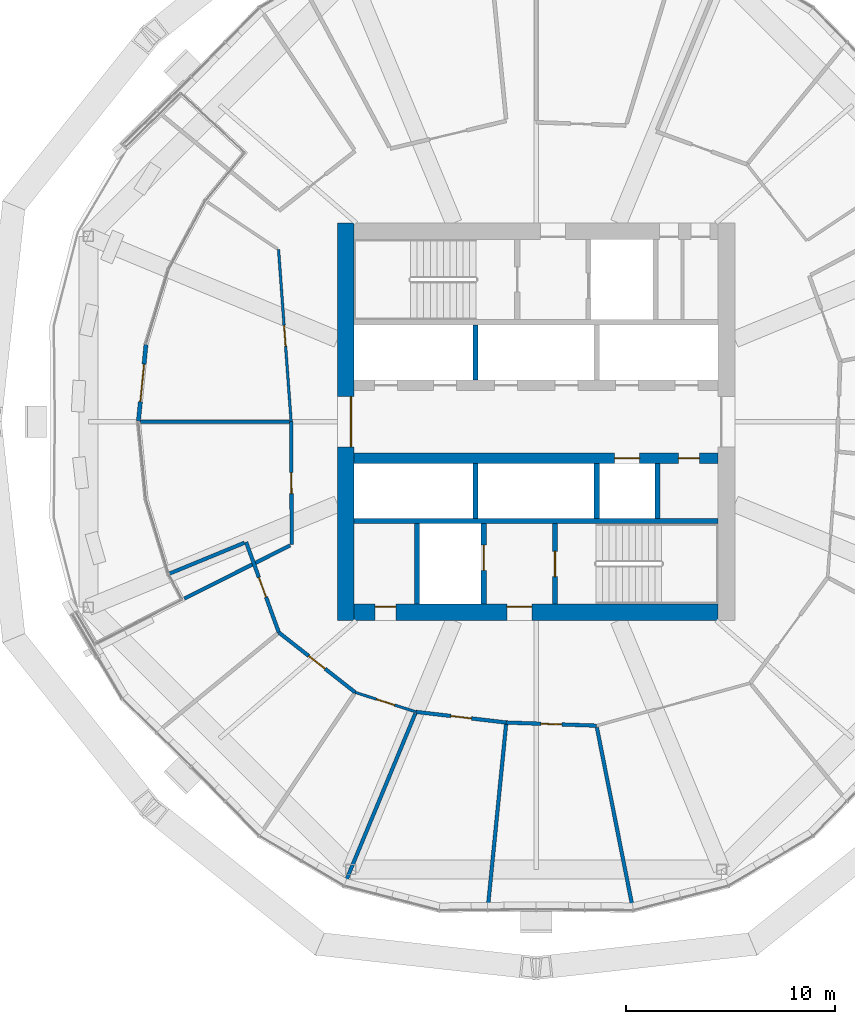
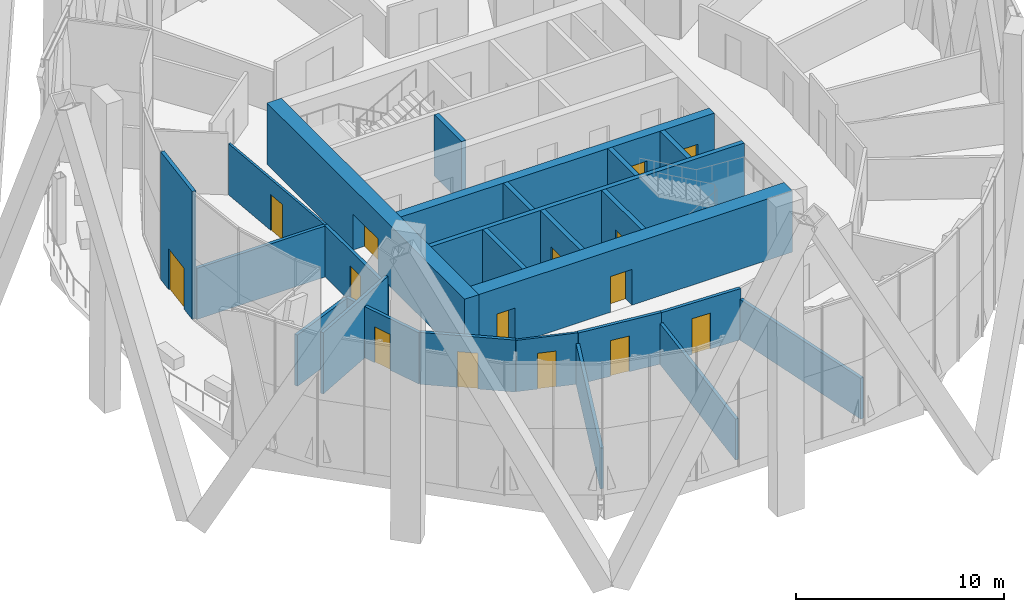
# One storey, part 21 of 30: 25 walls, 15 doors, 15 openings.
"""IFC4 building model written with IfcOpenShell, lengths in metres."""

from ifc_helpers import new_model, si_unit, direction, frame, frame_2d, origin, place, context, subcontext, project, spatial, rectangle, extrude, material, layer, layer_set, type_object, element, fill, save


model = new_model("IFC4")

# Units and contexts
model_context = context("Model", 3, precision=1e-05, world=origin(), true_north=direction((0.0, 1.0)))
body_context = subcontext(model_context, "Body", "Model", "MODEL_VIEW")
ifc_project = project(units=[si_unit("LENGTHUNIT", "METRE"), si_unit("AREAUNIT", "SQUARE_METRE"), si_unit("VOLUMEUNIT", "CUBIC_METRE"), si_unit("PLANEANGLEUNIT", "RADIAN"), si_unit("MASSUNIT", "GRAM", prefix="KILO")], contexts=[model_context])

# Site, building, storey
site_placement = place(None, origin())
site = spatial("IfcSite", under=ifc_project, at=site_placement, CompositionType="ELEMENT")
building_placement = place(site_placement, origin())
building = spatial("IfcBuilding", under=site, at=building_placement, Name="Ogive Gate Towers", CompositionType="ELEMENT")
storey_placement = place(building_placement, frame((0.0, 0.0, 99.60009765625)))
storey = spatial("IfcBuildingStorey", under=building, at=storey_placement, Name="L23", CompositionType="ELEMENT", Elevation=99.60009765625)

# Walls
ifc_material_1 = material(Name="Gypsum board acoustic partition")
ifc_layer_1 = layer(ifc_material_1, 0.175048828125)
ifc_layer_set_1 = layer_set([ifc_layer_1], Name="Acoustic partition 175")
wall_type_1 = type_object("IfcWallType", Name="Acoustic partition 175", PredefinedType="PARTITIONING", material=ifc_layer_set_1)
wall_1_placement = place(storey_placement, frame((-54.909423828125, 0.0, 0.0), z_axis=(0.0, 0.0, 1.0), x_axis=(1.0, 0.0, 0.0)))
element("IfcWall", 1, at=wall_1_placement, inside=storey, type_object=wall_type_1, Name="Partition T1-L23-013", PredefinedType="PARTITIONING", context=body_context, shape_type="SweptSolid", body=[
    extrude(rectangle(XDim=7.111328125, YDim=0.175048828125, at=frame_2d((3.5556640625, 0.0))), origin(), (0.0, 0.0, 1.0), 3.0),
])
wall_2_placement = place(storey_placement, frame((-53.5634765625, -7.27490234375, 0.0), z_axis=(0.0, 0.0, 1.0), x_axis=(0.924753007922, 0.380567831456, 0.0)))
element("IfcWall", 2, at=wall_2_placement, inside=storey, type_object=wall_type_1, Name="Partition T1-L23-014", PredefinedType="PARTITIONING", context=body_context, shape_type="SweptSolid", body=[
    extrude(rectangle(XDim=3.913818359375, YDim=0.175048828125, at=frame_2d((1.95703125, 0.0))), origin(), (0.0, 0.0, 1.0), 3.010009765625),
])
wall_3_placement = place(storey_placement, frame((-52.817138671875, -8.45703125, 0.0), z_axis=(0.0, 0.0, 1.0), x_axis=(0.893407189566, 0.449247808712, 0.0)))
element("IfcWall", 3, at=wall_3_placement, inside=storey, type_object=wall_type_1, Name="Partition T1-L23-015", PredefinedType="PARTITIONING", context=body_context, shape_type="SweptSolid", body=[
    extrude(rectangle(XDim=5.66162109375, YDim=0.175048828125, at=frame_2d((2.830810546875, 0.0))), origin(), (0.0, 0.0, 1.0), 3.599853515625),
])
for number, where, z_axis, x_axis, name in (
    (4, (-45.14990234375, -22.090087890625, 0.0), (0.0, 0.0, 1.0), (0.382684585559, 0.923879054842, 0.0), "Partition T1-L23-018"),
    (5, (-38.308837890625, -23.231689453125, 0.0), (0.0, 0.0, 1.0), (0.098886463601, 0.995098722397, 0.0), "Partition T1-L23-019"),
):
    element("IfcWall", number, at=place(storey_placement, frame(where, z_axis=z_axis, x_axis=x_axis)), inside=storey, type_object=wall_type_1, Name=name, PredefinedType="PARTITIONING", context=body_context, shape_type="SweptSolid", body=[
        extrude(rectangle(XDim=8.8115234375, YDim=0.175048828125, at=frame_2d((4.40576171875, 0.0))), origin(), (0.0, 0.0, 1.0), 2.39990234375),
    ])
wall_4_placement = place(storey_placement, frame((-31.3818359375, -23.25537109375, 0.0), z_axis=(0.0, 0.0, 1.0), x_axis=(-0.194783861895, 0.980846189341, 0.0)))
element("IfcWall", 6, at=wall_4_placement, inside=storey, type_object=wall_type_1, Name="Partition T1-L23-020", PredefinedType="PARTITIONING", context=body_context, shape_type="SweptSolid", body=[
    extrude(rectangle(XDim=8.811279296875, YDim=0.175048828125, at=frame_2d((4.40576171875, 0.0))), origin(), (0.0, 0.0, 1.0), 2.39990234375),
])

# Wall, opening, door
wall_5_placement = place(storey_placement, frame((-33.115234375, -14.52685546875, 0.0), z_axis=(0.0, 0.0, 1.0), x_axis=(-0.999392759226, 0.034844121558, 0.0)))
wall_5 = element("IfcWall", 7, at=wall_5_placement, inside=storey, type_object=wall_type_1, Name="Partition T1-L23-033", PredefinedType="PARTITIONING", context=body_context, shape_type="SweptSolid", body=[
    extrude(rectangle(XDim=4.316162109375, YDim=0.175048828125, at=frame_2d((2.158203125, 0.0))), origin(), (0.0, 0.0, 1.0), 3.0),
])
opening_1_placement = place(wall_5_placement, frame((1.657958984375, 0.0, 0.0)))
opening_1 = element("IfcOpeningElement", 8, at=opening_1_placement, cuts=wall_5, Name="Opening T1-L23-D09", PredefinedType="OPENING", context=body_context, shape_type="SweptSolid", body=[
    extrude(rectangle(XDim=1.0, YDim=2.10009765625, at=frame_2d((0.5, 1.050048828125))), frame((0.0, 0.09765625, 0.0), z_axis=(0.0, -1.0, 0.0), x_axis=(1.0, 0.0, 0.0)), (0.0, 0.0, 1.0), 0.195068359375),
])
ifc_material_2 = material(Name="Timber door", Category="wood")
door_type_1 = type_object("IfcDoorType", Name="Door 1000", OperationType="NOTDEFINED", PredefinedType="DOOR", material=ifc_material_2)
door_1_placement = place(opening_1_placement, origin())
door_1 = element("IfcDoor", 9, at=door_1_placement, inside=storey, type_object=door_type_1, Name="Door T1-L23-D09", OperationType="SINGLE_SWING_LEFT", OverallHeight=2.10009765625, OverallWidth=1.0, PredefinedType="DOOR", context=body_context, shape_type="SweptSolid", body=[
    extrude(rectangle(XDim=1.0, YDim=2.10009765625, at=frame_2d((0.5, 1.050048828125))), frame((0.0, 0.02490234375, 0.0), z_axis=(0.0, -1.0, 0.0), x_axis=(1.0, 0.0, 0.0)), (0.0, 0.0, 1.0), 0.050048828125),
])
fill(opening_1, door_1)

wall_6_placement = place(storey_placement, frame((-37.4287109375, -14.37646484375, 0.0), z_axis=(0.0, 0.0, 1.0), x_axis=(-0.993141780999, 0.116916221432, 0.0)))
wall_6 = element("IfcWall", 10, at=wall_6_placement, inside=storey, type_object=wall_type_1, Name="Partition T1-L23-034", PredefinedType="PARTITIONING", context=body_context, shape_type="SweptSolid", body=[
    extrude(rectangle(XDim=4.345458984375, YDim=0.175048828125, at=frame_2d((2.1728515625, 0.0))), origin(), (0.0, 0.0, 1.0), 3.010009765625),
])
opening_2_placement = place(wall_6_placement, frame((1.673095703125, 0.0, 0.0)))
opening_2 = element("IfcOpeningElement", 11, at=opening_2_placement, cuts=wall_6, Name="Opening T1-L23-D10", PredefinedType="OPENING", context=body_context, shape_type="SweptSolid", body=[
    extrude(rectangle(XDim=1.0, YDim=2.10009765625, at=frame_2d((0.5, 1.050048828125))), frame((0.0, 0.09765625, 0.0), z_axis=(0.0, -1.0, 0.0), x_axis=(1.0, 0.0, 0.0)), (0.0, 0.0, 1.0), 0.195068359375),
])
door_2_placement = place(opening_2_placement, origin())
door_2 = element("IfcDoor", 12, at=door_2_placement, inside=storey, type_object=door_type_1, Name="Door T1-L23-D10", OperationType="SINGLE_SWING_LEFT", OverallHeight=2.10009765625, OverallWidth=1.0, PredefinedType="DOOR", context=body_context, shape_type="SweptSolid", body=[
    extrude(rectangle(XDim=1.0, YDim=2.10009765625, at=frame_2d((0.5, 1.050048828125))), frame((0.0, 0.02490234375, 0.0), z_axis=(0.0, -1.0, 0.0), x_axis=(1.0, 0.0, 0.0)), (0.0, 0.0, 1.0), 0.050048828125),
])
fill(opening_2, door_2)

wall_7_placement = place(storey_placement, frame((-44.649169921875, -12.935302734375, 0.0), z_axis=(0.0, 0.0, 1.0), x_axis=(-0.786899039994, 0.61708176189, 0.0)))
wall_7 = element("IfcWall", 13, at=wall_7_placement, inside=storey, type_object=wall_type_1, Name="Partition T1-L23-036", PredefinedType="PARTITIONING", context=body_context, shape_type="SweptSolid", body=[
    extrude(rectangle(XDim=4.636474609375, YDim=0.175048828125, at=frame_2d((2.318359375, 0.0))), origin(), (0.0, 0.0, 1.0), 3.0498046875),
])
opening_3_placement = place(wall_7_placement, frame((1.818115234375, 0.0, 0.0)))
opening_3 = element("IfcOpeningElement", 14, at=opening_3_placement, cuts=wall_7, Name="Opening T1-L23-D12", PredefinedType="OPENING", context=body_context, shape_type="SweptSolid", body=[
    extrude(rectangle(XDim=1.0, YDim=2.10009765625, at=frame_2d((0.5, 1.050048828125))), frame((0.0, 0.09765625, 0.0), z_axis=(0.0, -1.0, 0.0), x_axis=(1.0, 0.0, 0.0)), (0.0, 0.0, 1.0), 0.195068359375),
])
door_3_placement = place(opening_3_placement, origin())
door_3 = element("IfcDoor", 15, at=door_3_placement, inside=storey, type_object=door_type_1, Name="Door T1-L23-D12", OperationType="SINGLE_SWING_LEFT", OverallHeight=2.10009765625, OverallWidth=1.0, PredefinedType="DOOR", context=body_context, shape_type="SweptSolid", body=[
    extrude(rectangle(XDim=1.0, YDim=2.10009765625, at=frame_2d((0.5, 1.050048828125))), frame((0.0, 0.02490234375, 0.0), z_axis=(0.0, -1.0, 0.0), x_axis=(1.0, 0.0, 0.0)), (0.0, 0.0, 1.0), 0.050048828125),
])
fill(opening_3, door_3)

wall_8_placement = place(storey_placement, frame((-48.297607421875, -10.07421875, 0.0), z_axis=(0.0, 0.0, 1.0), x_axis=(-0.340561693815, 0.940222171992, 0.0)))
wall_8 = element("IfcWall", 16, at=wall_8_placement, inside=storey, type_object=wall_type_1, Name="Partition T1-L23-037", PredefinedType="PARTITIONING", context=body_context, shape_type="SweptSolid", body=[
    extrude(rectangle(XDim=4.597412109375, YDim=0.175048828125, at=frame_2d((2.298828125, 0.0))), origin(), (0.0, 0.0, 1.0), 3.010009765625),
])
opening_4_placement = place(wall_8_placement, frame((1.799072265625, 0.0, 0.0)))
opening_4 = element("IfcOpeningElement", 17, at=opening_4_placement, cuts=wall_8, Name="Opening T1-L23-D13", PredefinedType="OPENING", context=body_context, shape_type="SweptSolid", body=[
    extrude(rectangle(XDim=1.0, YDim=2.10009765625, at=frame_2d((0.5, 1.050048828125))), frame((0.0, 0.09765625, 0.0), z_axis=(0.0, -1.0, 0.0), x_axis=(1.0, 0.0, 0.0)), (0.0, 0.0, 1.0), 0.195068359375),
])
door_4_placement = place(opening_4_placement, origin())
door_4 = element("IfcDoor", 18, at=door_4_placement, inside=storey, type_object=door_type_1, Name="Door T1-L23-D13", OperationType="SINGLE_SWING_RIGHT", OverallHeight=2.10009765625, OverallWidth=1.0, PredefinedType="DOOR", context=body_context, shape_type="SweptSolid", body=[
    extrude(rectangle(XDim=1.0, YDim=2.10009765625, at=frame_2d((0.5, 1.050048828125))), frame((0.0, 0.02490234375, 0.0), z_axis=(0.0, -1.0, 0.0), x_axis=(1.0, 0.0, 0.0)), (0.0, 0.0, 1.0), 0.050048828125),
])
fill(opening_4, door_4)

wall_9_placement = place(storey_placement, frame((-47.680908203125, -5.874267578125, 0.0), z_axis=(0.0, 0.0, 1.0), x_axis=(-0.005028821329, 0.999987355398, 0.0)))
wall_9 = element("IfcWall", 19, at=wall_9_placement, inside=storey, type_object=wall_type_1, Name="Partition T1-L23-038", PredefinedType="PARTITIONING", context=body_context, shape_type="SweptSolid", body=[
    extrude(rectangle(XDim=5.874267578125, YDim=0.175048828125, at=frame_2d((2.93701171875, 0.0))), origin(), (0.0, 0.0, 1.0), 3.0),
])
opening_5_placement = place(wall_9_placement, frame((2.43701171875, 0.0, 0.0)))
opening_5 = element("IfcOpeningElement", 20, at=opening_5_placement, cuts=wall_9, Name="Opening T1-L23-D14", PredefinedType="OPENING", context=body_context, shape_type="SweptSolid", body=[
    extrude(rectangle(XDim=1.0, YDim=2.10009765625, at=frame_2d((0.5, 1.050048828125))), frame((0.0, 0.09765625, 0.0), z_axis=(0.0, -1.0, 0.0), x_axis=(1.0, 0.0, 0.0)), (0.0, 0.0, 1.0), 0.195068359375),
])
door_5_placement = place(opening_5_placement, origin())
door_5 = element("IfcDoor", 21, at=door_5_placement, inside=storey, type_object=door_type_1, Name="Door T1-L23-D14", OperationType="SINGLE_SWING_RIGHT", OverallHeight=2.10009765625, OverallWidth=1.0, PredefinedType="DOOR", context=body_context, shape_type="SweptSolid", body=[
    extrude(rectangle(XDim=1.0, YDim=2.10009765625, at=frame_2d((0.5, 1.050048828125))), frame((0.0, 0.02490234375, 0.0), z_axis=(0.0, -1.0, 0.0), x_axis=(1.0, 0.0, 0.0)), (0.0, 0.0, 1.0), 0.050048828125),
])
fill(opening_5, door_5)

# Wall, openings, doors
ifc_material_3 = material(Name="Concrete C60/75", Category="concrete")
ifc_layer_2 = layer(ifc_material_3, 0.800048828125)
ifc_layer_set_2 = layer_set([ifc_layer_2], Name="Core wall 800 mm")
wall_type_2 = type_object("IfcWallType", Name="Core wall 800 mm", PredefinedType="SHEAR", material=ifc_layer_set_2)
wall_10_placement = place(storey_placement, frame((-44.699951171875, -9.10009765625, 0.0), z_axis=(0.0, 0.0, 1.0), x_axis=(1.0, 0.0, 0.0)))
wall_10 = element("IfcWall", 22, at=wall_10_placement, inside=storey, type_object=wall_type_2, Name="T1 L23 Core wall 800 mm", PredefinedType="SHEAR", context=body_context, shape_type="SweptSolid", body=[
    extrude(rectangle(XDim=17.39990234375, YDim=0.800048828125, at=frame_2d((8.699951171875, 0.0))), origin(), (0.0, 0.0, 1.0), 3.599853515625),
])
opening_6_placement = place(wall_10_placement, frame((7.300048828125, 0.0, 0.0)))
opening_6 = element("IfcOpeningElement", 23, at=opening_6_placement, cuts=wall_10, Name="Opening KD-T1-L23-16", PredefinedType="OPENING", context=body_context, shape_type="SweptSolid", body=[
    extrude(rectangle(XDim=1.199951171875, YDim=2.10009765625, at=frame_2d((0.60009765625, 1.050048828125))), frame((0.0, 0.41015625, 0.0), z_axis=(0.0, -1.0, 0.0), x_axis=(1.0, 0.0, 0.0)), (0.0, 0.0, 1.0), 0.820068359375),
])
opening_7_placement = place(wall_10_placement, frame((1.0, 0.0, 0.0)))
opening_7 = element("IfcOpeningElement", 24, at=opening_7_placement, cuts=wall_10, Name="Opening KD-T1-L23-19", PredefinedType="OPENING", context=body_context, shape_type="SweptSolid", body=[
    extrude(rectangle(XDim=1.0, YDim=2.10009765625, at=frame_2d((0.5, 1.050048828125))), frame((0.0, 0.41015625, 0.0), z_axis=(0.0, -1.0, 0.0), x_axis=(1.0, 0.0, 0.0)), (0.0, 0.0, 1.0), 0.820068359375),
])
door_type_2 = type_object("IfcDoorType", Name="Accessible WC door 1000 x 2100", OperationType="NOTDEFINED", PredefinedType="DOOR", material=ifc_material_2)
door_6_placement = place(opening_7_placement, origin())
door_6 = element("IfcDoor", 25, at=door_6_placement, inside=storey, type_object=door_type_2, Name="T1 L23 Core door", OperationType="SINGLE_SWING_RIGHT", OverallHeight=2.10009765625, OverallWidth=1.0, PredefinedType="DOOR", context=body_context, shape_type="SweptSolid", body=[
    extrude(rectangle(XDim=1.0, YDim=2.10009765625, at=frame_2d((0.5, 1.050048828125))), frame((0.0, 0.27490234375, 0.0), z_axis=(0.0, -1.0, 0.0), x_axis=(1.0, 0.0, 0.0)), (0.0, 0.0, 1.0), 0.050048828125),
])
fill(opening_7, door_6)
ifc_material_4 = material(Name="Steel fire door", Category="steel")
door_type_3 = type_object("IfcDoorType", Name="Core door FD60S 1200 x 2100", OperationType="NOTDEFINED", PredefinedType="DOOR", material=ifc_material_4)
door_7_placement = place(opening_6_placement, origin())
door_7 = element("IfcDoor", 26, at=door_7_placement, inside=storey, type_object=door_type_3, Name="T1 L23 Fire-fighting lobby door", OperationType="SINGLE_SWING_LEFT", OverallHeight=2.10009765625, OverallWidth=1.199951171875, PredefinedType="DOOR", context=body_context, shape_type="SweptSolid", body=[
    extrude(rectangle(XDim=1.199951171875, YDim=2.10009765625, at=frame_2d((0.60009765625, 1.050048828125))), frame((0.0, 0.27490234375, 0.0), z_axis=(0.0, -1.0, 0.0), x_axis=(1.0, 0.0, 0.0)), (0.0, 0.0, 1.0), 0.050048828125),
])
fill(opening_6, door_7)

# Wall, opening, door
wall_11_placement = place(storey_placement, frame((-45.10009765625, -9.5, 0.0), z_axis=(0.0, 0.0, 1.0), x_axis=(0.0, 1.0, 0.0)))
wall_11 = element("IfcWall", 27, at=wall_11_placement, inside=storey, type_object=wall_type_2, Name="T1 L23 Core wall 800 mm", PredefinedType="SHEAR", context=body_context, shape_type="SweptSolid", body=[
    extrude(rectangle(XDim=19.0, YDim=0.800048828125, at=frame_2d((9.5, 0.0))), origin(), (0.0, 0.0, 1.0), 3.599853515625),
])
opening_8_placement = place(wall_11_placement, frame((8.300048828125, 0.0, 0.0)))
opening_8 = element("IfcOpeningElement", 28, at=opening_8_placement, cuts=wall_11, Name="Opening KD-T1-L23-01", PredefinedType="OPENING", context=body_context, shape_type="SweptSolid", body=[
    extrude(rectangle(XDim=2.39990234375, YDim=2.10009765625, at=frame_2d((1.199951171875, 1.050048828125))), frame((0.0, 0.41015625, 0.0), z_axis=(0.0, -1.0, 0.0), x_axis=(1.0, 0.0, 0.0)), (0.0, 0.0, 1.0), 0.820068359375),
])
door_type_4 = type_object("IfcDoorType", Name="Core double door FD60S 2400 x 2100", OperationType="DOUBLE_DOOR_SINGLE_SWING", PredefinedType="DOOR", material=ifc_material_4)
door_8_placement = place(opening_8_placement, origin())
door_8 = element("IfcDoor", 29, at=door_8_placement, inside=storey, type_object=door_type_4, Name="T1 L23 Core door double", OperationType="DOUBLE_DOOR_SINGLE_SWING", OverallHeight=2.10009765625, OverallWidth=2.39990234375, PredefinedType="DOOR", context=body_context, shape_type="SweptSolid", body=[
    extrude(rectangle(XDim=2.39990234375, YDim=2.10009765625, at=frame_2d((1.199951171875, 1.050048828125))), frame((0.0, -0.22509765625, 0.0), z_axis=(0.0, -1.0, 0.0), x_axis=(1.0, 0.0, 0.0)), (0.0, 0.0, 1.0), 0.050048828125),
])
fill(opening_8, door_8)

ifc_material_5 = material(Name="Pale metal aluminium", Category="aluminium")
ifc_layer_3 = layer(ifc_material_5, 0.199951171875)
ifc_layer_set_3 = layer_set([ifc_layer_3], Name="Garden infill wall")
wall_type_3 = type_object("IfcWallType", Name="Garden infill wall", PredefinedType="SOLIDWALL", material=ifc_layer_set_3)
wall_12_placement = place(storey_placement, frame((-55.008056640625, 0.02490234375, 0.0), z_axis=(0.0, 0.0, 1.0), x_axis=(0.098011177909, 0.995185313901, 0.0)))
wall_12 = element("IfcWall", 30, at=wall_12_placement, inside=storey, type_object=wall_type_3, Name="Garden infill wall", PredefinedType="SOLIDWALL", context=body_context, shape_type="SweptSolid", body=[
    extrude(rectangle(XDim=3.6767578125, YDim=0.199951171875, at=frame_2d((1.83837890625, 0.0))), origin(), (0.0, 0.0, 1.0), 7.5),
])
opening_9_placement = place(wall_12_placement, frame((0.9384765625, 0.0, 0.0)))
opening_9 = element("IfcOpeningElement", 31, at=opening_9_placement, cuts=wall_12, Name="Opening ED1-L23-01", PredefinedType="OPENING", context=body_context, shape_type="SweptSolid", body=[
    extrude(rectangle(XDim=1.800048828125, YDim=2.39990234375, at=frame_2d((0.89990234375, 1.199951171875))), frame((0.0, 0.10986328125, 0.0), z_axis=(0.0, -1.0, 0.0), x_axis=(1.0, 0.0, 0.0)), (0.0, 0.0, 1.0), 0.219970703125),
])
door_type_5 = type_object("IfcDoorType", Name="Garden door 1800 x 2400", OperationType="DOUBLE_DOOR_SINGLE_SWING", PredefinedType="DOOR", material=ifc_material_5)
door_9_placement = place(opening_9_placement, origin())
door_9 = element("IfcDoor", 32, at=door_9_placement, inside=storey, type_object=door_type_5, Name="Garden door", OperationType="SINGLE_SWING_LEFT", OverallHeight=2.39990234375, OverallWidth=1.800048828125, PredefinedType="DOOR", context=body_context, shape_type="SweptSolid", body=[
    extrude(rectangle(XDim=1.800048828125, YDim=2.39990234375, at=frame_2d((0.89990234375, 1.199951171875))), frame((0.0, 0.02490234375, 0.0), z_axis=(0.0, -1.0, 0.0), x_axis=(1.0, 0.0, 0.0)), (0.0, 0.0, 1.0), 0.050048828125),
])
fill(opening_9, door_9)

ifc_material_6 = material(Name="Gypsum board partition")
ifc_layer_4 = layer(ifc_material_6, 0.125)
ifc_layer_set_4 = layer_set([ifc_layer_4], Name="Partition 125")
wall_type_4 = type_object("IfcWallType", Name="Partition 125", PredefinedType="PARTITIONING", material=ifc_layer_set_4)
wall_13_placement = place(storey_placement, frame((-41.744384765625, -13.868408203125, 0.0), z_axis=(0.0, 0.0, 1.0), x_axis=(-0.952083496406, 0.305838218462, 0.0)))
wall_13 = element("IfcWall", 33, at=wall_13_placement, inside=storey, type_object=wall_type_4, Name="Partition T1-L23-035", PredefinedType="PARTITIONING", context=body_context, shape_type="SweptSolid", body=[
    extrude(rectangle(XDim=3.051025390625, YDim=0.125, at=frame_2d((1.525390625, 0.0))), origin(), (0.0, 0.0, 1.0), 3.010009765625),
])
opening_10_placement = place(wall_13_placement, frame((1.074951171875, 0.0, 0.0)))
opening_10 = element("IfcOpeningElement", 34, at=opening_10_placement, cuts=wall_13, Name="Opening T1-L23-D11", PredefinedType="OPENING", context=body_context, shape_type="SweptSolid", body=[
    extrude(rectangle(XDim=0.89990234375, YDim=2.10009765625, at=frame_2d((0.449951171875, 1.050048828125))), frame((0.0, 0.072509765625, 0.0), z_axis=(0.0, -1.0, 0.0), x_axis=(1.0, 0.0, 0.0)), (0.0, 0.0, 1.0), 0.14501953125),
])
door_type_6 = type_object("IfcDoorType", Name="Door 900", OperationType="NOTDEFINED", PredefinedType="DOOR", material=ifc_material_2)
door_10_placement = place(opening_10_placement, origin())
door_10 = element("IfcDoor", 35, at=door_10_placement, inside=storey, type_object=door_type_6, Name="Door T1-L23-D11", OperationType="SINGLE_SWING_LEFT", OverallHeight=2.10009765625, OverallWidth=0.89990234375, PredefinedType="DOOR", context=body_context, shape_type="SweptSolid", body=[
    extrude(rectangle(XDim=0.89990234375, YDim=2.10009765625, at=frame_2d((0.449951171875, 1.050048828125))), frame((0.0, 0.02490234375, 0.0), z_axis=(0.0, -1.0, 0.0), x_axis=(1.0, 0.0, 0.0)), (0.0, 0.0, 1.0), 0.050048828125),
])
fill(opening_10, door_10)

wall_14_placement = place(storey_placement, frame((-47.71044921875, 0.0, 0.0), z_axis=(0.0, 0.0, 1.0), x_axis=(-0.072956969329, 0.997335089439, 0.0)))
wall_14 = element("IfcWall", 36, at=wall_14_placement, inside=storey, type_object=wall_type_4, Name="Partition T1-L23-039", PredefinedType="PARTITIONING", context=body_context, shape_type="SweptSolid", body=[
    extrude(rectangle(XDim=8.248779296875, YDim=0.125, at=frame_2d((4.12451171875, 0.0))), origin(), (0.0, 0.0, 1.0), 3.0),
])
opening_11_placement = place(wall_14_placement, frame((3.6240234375, 0.0, 0.0)))
opening_11 = element("IfcOpeningElement", 37, at=opening_11_placement, cuts=wall_14, Name="Opening T1-L23-D15", PredefinedType="OPENING", context=body_context, shape_type="SweptSolid", body=[
    extrude(rectangle(XDim=1.0, YDim=2.10009765625, at=frame_2d((0.5, 1.050048828125))), frame((0.0, 0.072509765625, 0.0), z_axis=(0.0, -1.0, 0.0), x_axis=(1.0, 0.0, 0.0)), (0.0, 0.0, 1.0), 0.14501953125),
])
door_11_placement = place(opening_11_placement, origin())
door_11 = element("IfcDoor", 38, at=door_11_placement, inside=storey, type_object=door_type_1, Name="Door T1-L23-D15", OperationType="SINGLE_SWING_LEFT", OverallHeight=2.10009765625, OverallWidth=1.0, PredefinedType="DOOR", context=body_context, shape_type="SweptSolid", body=[
    extrude(rectangle(XDim=1.0, YDim=2.10009765625, at=frame_2d((0.5, 1.050048828125))), frame((0.0, 0.02490234375, 0.0), z_axis=(0.0, -1.0, 0.0), x_axis=(1.0, 0.0, 0.0)), (0.0, 0.0, 1.0), 0.050048828125),
])
fill(opening_11, door_11)

# Walls
ifc_layer_5 = layer(ifc_material_3, 0.25)
ifc_layer_set_5 = layer_set([ifc_layer_5], Name="Shaft wall 250 mm")
wall_type_5 = type_object("IfcWallType", Name="Shaft wall 250 mm", PredefinedType="SHEAR", material=ifc_layer_set_5)
wall_15_placement = place(storey_placement, frame((-44.699951171875, -4.75, 0.0), z_axis=(0.0, 0.0, 1.0), x_axis=(1.0, 0.0, 0.0)))
element("IfcWall", 39, at=wall_15_placement, inside=storey, type_object=wall_type_5, Name="T1 L23 Shaft wall 250 mm", PredefinedType="SHEAR", context=body_context, shape_type="SweptSolid", body=[
    extrude(rectangle(XDim=17.39990234375, YDim=0.25, at=frame_2d((8.699951171875, 0.0))), origin(), (0.0, 0.0, 1.0), 3.599853515625),
])
wall_16_placement = place(storey_placement, frame((-41.699951171875, -8.699951171875, 0.0), z_axis=(0.0, 0.0, 1.0), x_axis=(0.0, 1.0, 0.0)))
element("IfcWall", 40, at=wall_16_placement, inside=storey, type_object=wall_type_5, Name="T1 L23 Shaft wall 250 mm", PredefinedType="SHEAR", context=body_context, shape_type="SweptSolid", body=[
    extrude(rectangle(XDim=3.824951171875, YDim=0.25, at=frame_2d((1.91259765625, 0.0))), origin(), (0.0, 0.0, 1.0), 3.599853515625),
])
for number, where, z_axis, x_axis, name in (
    (41, (-38.89990234375, -4.625, 0.0), (0.0, 0.0, 1.0), (0.0, 1.0, 0.0), "T1 L23 Shaft wall 250 mm"),
    (42, (-38.89990234375, 2.0, 0.0), (0.0, 0.0, 1.0), (0.0, 1.0, 0.0), "T1 L23 Shaft wall 250 mm"),
):
    element("IfcWall", number, at=place(storey_placement, frame(where, z_axis=z_axis, x_axis=x_axis)), inside=storey, type_object=wall_type_5, Name=name, PredefinedType="SHEAR", context=body_context, shape_type="SweptSolid", body=[
        extrude(rectangle(XDim=2.625, YDim=0.25, at=frame_2d((1.3125, 0.0))), origin(), (0.0, 0.0, 1.0), 3.599853515625),
    ])

# Wall, opening, door
wall_17_placement = place(storey_placement, frame((-38.5, -8.699951171875, 0.0), z_axis=(0.0, 0.0, 1.0), x_axis=(0.0, 1.0, 0.0)))
wall_17 = element("IfcWall", 43, at=wall_17_placement, inside=storey, type_object=wall_type_5, Name="T1 L23 Shaft wall 250 mm", PredefinedType="SHEAR", context=body_context, shape_type="SweptSolid", body=[
    extrude(rectangle(XDim=3.824951171875, YDim=0.25, at=frame_2d((1.91259765625, 0.0))), origin(), (0.0, 0.0, 1.0), 3.599853515625),
])
opening_12_placement = place(wall_17_placement, frame((1.60009765625, 0.0, 0.0)))
opening_12 = element("IfcOpeningElement", 44, at=opening_12_placement, cuts=wall_17, Name="Opening LD-T1-L23-11", PredefinedType="OPENING", context=body_context, shape_type="SweptSolid", body=[
    extrude(rectangle(XDim=1.199951171875, YDim=2.10009765625, at=frame_2d((0.60009765625, 1.050048828125))), frame((0.0, 0.135009765625, 0.0), z_axis=(0.0, -1.0, 0.0), x_axis=(1.0, 0.0, 0.0)), (0.0, 0.0, 1.0), 0.27001953125),
])
ifc_material_7 = material(Name="Stainless steel landing door", Category="steel")
door_type_7 = type_object("IfcDoorType", Name="Landing door 1200 x 2100", OperationType="SLIDING_TO_LEFT", PredefinedType="DOOR", material=ifc_material_7)
door_12_placement = place(opening_12_placement, origin())
door_12 = element("IfcDoor", 45, at=door_12_placement, inside=storey, type_object=door_type_7, Name="T1 L23 Lift landing door FF2", OperationType="SLIDING_TO_LEFT", OverallHeight=2.10009765625, OverallWidth=1.199951171875, PredefinedType="DOOR", context=body_context, shape_type="SweptSolid", body=[
    extrude(rectangle(XDim=1.199951171875, YDim=2.10009765625, at=frame_2d((0.60009765625, 1.050048828125))), frame((0.0, 0.02490234375, 0.0), z_axis=(0.0, -1.0, 0.0), x_axis=(1.0, 0.0, 0.0)), (0.0, 0.0, 1.0), 0.050048828125),
])
fill(opening_12, door_12)

wall_18_placement = place(storey_placement, frame((-35.10009765625, -8.699951171875, 0.0), z_axis=(0.0, 0.0, 1.0), x_axis=(0.0, 1.0, 0.0)))
wall_18 = element("IfcWall", 46, at=wall_18_placement, inside=storey, type_object=wall_type_5, Name="T1 L23 Shaft wall 250 mm", PredefinedType="SHEAR", context=body_context, shape_type="SweptSolid", body=[
    extrude(rectangle(XDim=3.824951171875, YDim=0.25, at=frame_2d((1.91259765625, 0.0))), origin(), (0.0, 0.0, 1.0), 3.599853515625),
])
opening_13_placement = place(wall_18_placement, frame((1.300048828125, 0.0, 0.0)))
opening_13 = element("IfcOpeningElement", 47, at=opening_13_placement, cuts=wall_18, Name="Opening KD-T1-L23-14", PredefinedType="OPENING", context=body_context, shape_type="SweptSolid", body=[
    extrude(rectangle(XDim=1.199951171875, YDim=2.10009765625, at=frame_2d((0.60009765625, 1.050048828125))), frame((0.0, 0.135009765625, 0.0), z_axis=(0.0, -1.0, 0.0), x_axis=(1.0, 0.0, 0.0)), (0.0, 0.0, 1.0), 0.27001953125),
])
door_13_placement = place(opening_13_placement, origin())
door_13 = element("IfcDoor", 48, at=door_13_placement, inside=storey, type_object=door_type_3, Name="T1 L23 Stair door", OperationType="SINGLE_SWING_LEFT", OverallHeight=2.10009765625, OverallWidth=1.199951171875, PredefinedType="DOOR", context=body_context, shape_type="SweptSolid", body=[
    extrude(rectangle(XDim=1.199951171875, YDim=2.10009765625, at=frame_2d((0.60009765625, 1.050048828125))), frame((0.0, 0.02490234375, 0.0), z_axis=(0.0, -1.0, 0.0), x_axis=(1.0, 0.0, 0.0)), (0.0, 0.0, 1.0), 0.050048828125),
])
fill(opening_13, door_13)

# Walls
for number, where, z_axis, x_axis, name in (
    (49, (-33.10009765625, -4.625, 0.0), (0.0, 0.0, 1.0), (0.0, 1.0, 0.0), "T1 L23 Shaft wall 250 mm"),
    (50, (-30.199951171875, -4.625, 0.0), (0.0, 0.0, 1.0), (0.0, 1.0, 0.0), "T1 L23 Shaft wall 250 mm"),
):
    element("IfcWall", number, at=place(storey_placement, frame(where, z_axis=z_axis, x_axis=x_axis)), inside=storey, type_object=wall_type_5, Name=name, PredefinedType="SHEAR", context=body_context, shape_type="SweptSolid", body=[
        extrude(rectangle(XDim=2.625, YDim=0.25, at=frame_2d((1.3125, 0.0))), origin(), (0.0, 0.0, 1.0), 3.599853515625),
    ])

# Wall, openings, doors
ifc_layer_6 = layer(ifc_material_3, 0.5)
ifc_layer_set_6 = layer_set([ifc_layer_6], Name="Spine wall 500 mm")
wall_type_6 = type_object("IfcWallType", Name="Spine wall 500 mm", PredefinedType="SHEAR", material=ifc_layer_set_6)
wall_19_placement = place(storey_placement, frame((-44.699951171875, -1.75, 0.0), z_axis=(0.0, 0.0, 1.0), x_axis=(1.0, 0.0, 0.0)))
wall_19 = element("IfcWall", 51, at=wall_19_placement, inside=storey, type_object=wall_type_6, Name="T1 L23 Spine wall 500 mm", PredefinedType="SHEAR", context=body_context, shape_type="SweptSolid", body=[
    extrude(rectangle(XDim=17.39990234375, YDim=0.5, at=frame_2d((8.699951171875, 0.0))), origin(), (0.0, 0.0, 1.0), 3.599853515625),
])
opening_14_placement = place(wall_19_placement, frame((12.449951171875, 0.0, 0.0)))
opening_14 = element("IfcOpeningElement", 52, at=opening_14_placement, cuts=wall_19, Name="Opening LD-T1-L23-09", PredefinedType="OPENING", context=body_context, shape_type="SweptSolid", body=[
    extrude(rectangle(XDim=1.199951171875, YDim=2.10009765625, at=frame_2d((0.60009765625, 1.050048828125))), frame((0.0, 0.260009765625, 0.0), z_axis=(0.0, -1.0, 0.0), x_axis=(1.0, 0.0, 0.0)), (0.0, 0.0, 1.0), 0.52001953125),
])
opening_15_placement = place(wall_19_placement, frame((15.5, 0.0, 0.0)))
opening_15 = element("IfcOpeningElement", 53, at=opening_15_placement, cuts=wall_19, Name="Opening KD-T1-L23-12", PredefinedType="OPENING", context=body_context, shape_type="SweptSolid", body=[
    extrude(rectangle(XDim=1.0, YDim=2.10009765625, at=frame_2d((0.5, 1.050048828125))), frame((0.0, 0.260009765625, 0.0), z_axis=(0.0, -1.0, 0.0), x_axis=(1.0, 0.0, 0.0)), (0.0, 0.0, 1.0), 0.52001953125),
])
door_type_8 = type_object("IfcDoorType", Name="Core door FD60S 1000 x 2100", OperationType="NOTDEFINED", PredefinedType="DOOR", material=ifc_material_4)
door_14_placement = place(opening_15_placement, origin())
door_14 = element("IfcDoor", 54, at=door_14_placement, inside=storey, type_object=door_type_8, Name="T1 L23 Core door", OperationType="SINGLE_SWING_LEFT", OverallHeight=2.10009765625, OverallWidth=1.0, PredefinedType="DOOR", context=body_context, shape_type="SweptSolid", body=[
    extrude(rectangle(XDim=1.0, YDim=2.10009765625, at=frame_2d((0.5, 1.050048828125))), frame((0.0, 0.02490234375, 0.0), z_axis=(0.0, -1.0, 0.0), x_axis=(1.0, 0.0, 0.0)), (0.0, 0.0, 1.0), 0.050048828125),
])
fill(opening_15, door_14)
door_15_placement = place(opening_14_placement, origin())
door_15 = element("IfcDoor", 55, at=door_15_placement, inside=storey, type_object=door_type_7, Name="T1 L23 Lift landing door SVC", OperationType="SLIDING_TO_LEFT", OverallHeight=2.10009765625, OverallWidth=1.199951171875, PredefinedType="DOOR", context=body_context, shape_type="SweptSolid", body=[
    extrude(rectangle(XDim=1.199951171875, YDim=2.10009765625, at=frame_2d((0.60009765625, 1.050048828125))), frame((0.0, 0.02490234375, 0.0), z_axis=(0.0, -1.0, 0.0), x_axis=(1.0, 0.0, 0.0)), (0.0, 0.0, 1.0), 0.050048828125),
])
fill(opening_14, door_15)

save(model, "model.ifc")
